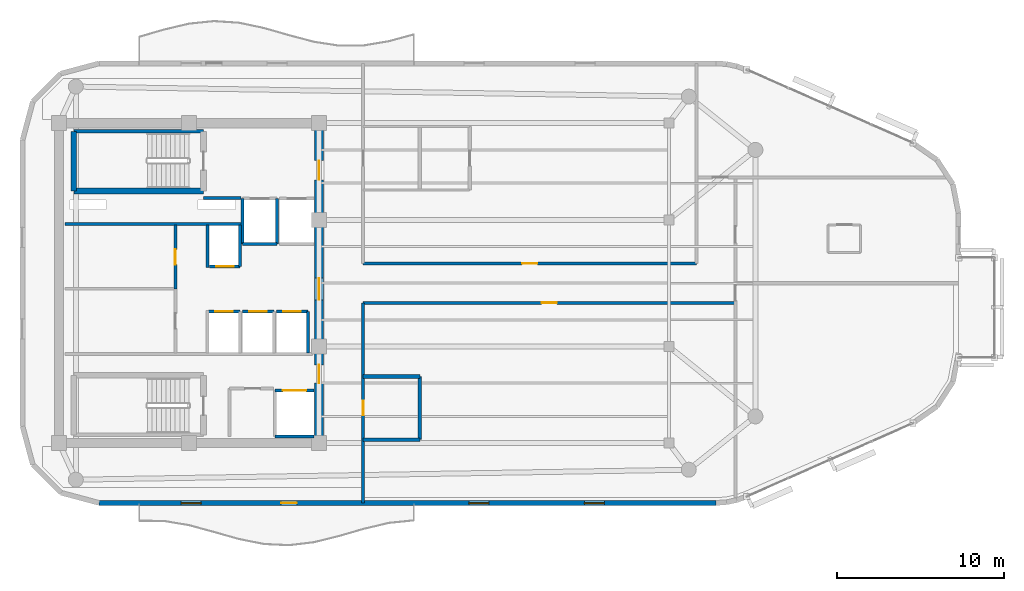
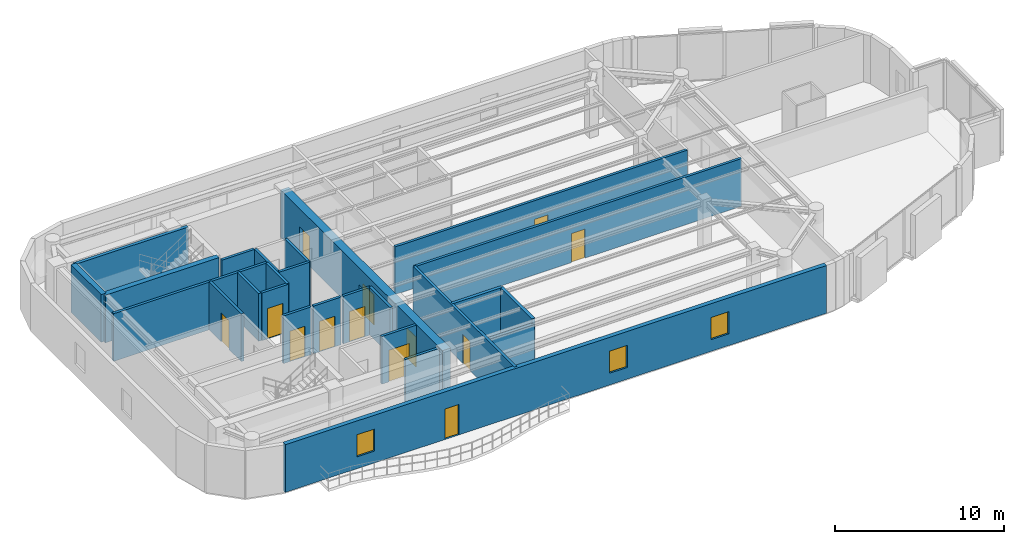
# One storey, part 9 of 13: 26 walls, 13 doors, 3 windows, 16 openings.
"""IFC4 building model written with IfcOpenShell, lengths in metres."""

from ifc_helpers import new_model, si_unit, direction, frame, frame_2d, origin, place, context, subcontext, project, spatial, rectangle, extrude, material, layer, layer_set, type_object, element, fill, save


model = new_model("IFC4")

# Units and contexts
model_context = context("Model", 3, precision=1e-05, world=origin(), true_north=direction((0.0, 1.0)))
body_context = subcontext(model_context, "Body", "Model", "MODEL_VIEW")
ifc_project = project(units=[si_unit("LENGTHUNIT", "METRE"), si_unit("AREAUNIT", "SQUARE_METRE"), si_unit("VOLUMEUNIT", "CUBIC_METRE"), si_unit("PLANEANGLEUNIT", "RADIAN"), si_unit("MASSUNIT", "GRAM", prefix="KILO")], contexts=[model_context])

# Site, building, storey
site_placement = place(None, origin())
site = spatial("IfcSite", under=ifc_project, at=site_placement, CompositionType="ELEMENT")
building_placement = place(site_placement, origin())
building = spatial("IfcBuilding", under=site, at=building_placement, Name="An Khanh Terracotta Commons", CompositionType="ELEMENT")
storey_placement = place(building_placement, frame((0.0, 0.0, 288.0)))
storey = spatial("IfcBuildingStorey", under=building, at=storey_placement, Name="L75", CompositionType="ELEMENT", Elevation=288.0)

# Wall, openings, doors
ifc_material_1 = material(Name="Concrete C50/60", Category="concrete")
ifc_layer_1 = layer(ifc_material_1, 0.550048828125, Name="Concrete C50/60")
ifc_layer_set_1 = layer_set([ifc_layer_1], Name="Concrete C50/60")
wall_type_1 = type_object("IfcWallType", Name="WALL-CORE-550", PredefinedType="SHEAR", material=ifc_layer_set_1)
wall_1_placement = place(storey_placement, frame((37.199951171875, 14.39990234375, 0.0), z_axis=(0.0, 0.0, 1.0), x_axis=(0.0, 1.0, 0.0)))
wall_1 = element("IfcWall", 1, at=wall_1_placement, inside=storey, type_object=wall_type_1, Name="L75 Core Wall CWALL-L75-E", PredefinedType="SHEAR", context=body_context, shape_type="SweptSolid", body=[
    extrude(rectangle(XDim=19.2001953125, YDim=0.550048828125, at=frame_2d((9.60009765625, 0.0))), origin(), (0.0, 0.0, 1.0), 3.449951171875),
])
opening_1_placement = place(wall_1_placement, frame((15.800048828125, 0.0, 0.0)))
opening_1 = element("IfcOpeningElement", 2, at=opening_1_placement, cuts=wall_1, Name="Opening D-FFL", PredefinedType="OPENING", context=body_context, shape_type="SweptSolid", body=[
    extrude(rectangle(XDim=1.14990234375, YDim=2.14990234375, at=frame_2d((0.574951171875, 1.074951171875))), frame((0.0, 0.284912109375, 0.0), z_axis=(0.0, -1.0, 0.0), x_axis=(1.0, 0.0, 0.0)), (0.0, 0.0, 1.0), 0.570068359375),
])
opening_2_placement = place(wall_1_placement, frame((3.60009765625, 0.0, 0.0)))
opening_2 = element("IfcOpeningElement", 3, at=opening_2_placement, cuts=wall_1, Name="Opening D-ST", PredefinedType="OPENING", context=body_context, shape_type="SweptSolid", body=[
    extrude(rectangle(XDim=1.10009765625, YDim=2.14990234375, at=frame_2d((0.550048828125, 1.074951171875))), frame((0.0, 0.284912109375, 0.0), z_axis=(0.0, -1.0, 0.0), x_axis=(1.0, 0.0, 0.0)), (0.0, 0.0, 1.0), 0.570068359375),
])
opening_3_placement = place(wall_1_placement, frame((8.60009765625, 0.0, 0.0)))
opening_3 = element("IfcOpeningElement", 4, at=opening_3_placement, cuts=wall_1, Name="Opening D-COR", PredefinedType="OPENING", context=body_context, shape_type="SweptSolid", body=[
    extrude(rectangle(XDim=1.300048828125, YDim=2.199951171875, at=frame_2d((0.64990234375, 1.10009765625))), frame((0.0, 0.284912109375, 0.0), z_axis=(0.0, -1.0, 0.0), x_axis=(1.0, 0.0, 0.0)), (0.0, 0.0, 1.0), 0.570068359375),
])
ifc_material_2 = material(Name="Fire-Rated Glazed Steel Double Door", Category="steel")
door_type_1 = type_object("IfcDoorType", Name="DOOR-CORR-1300", OperationType="NOTDEFINED", PredefinedType="DOOR", material=ifc_material_2)
door_1_placement = place(opening_3_placement, origin())
door_1 = element("IfcDoor", 5, at=door_1_placement, inside=storey, type_object=door_type_1, Name="L75 Passenger Lift Lobby Double Door", OperationType="DOUBLE_DOOR_SINGLE_SWING", OverallHeight=2.199951171875, OverallWidth=1.300048828125, PredefinedType="DOOR", context=body_context, shape_type="SweptSolid", body=[
    extrude(rectangle(XDim=1.300048828125, YDim=2.199951171875, at=frame_2d((0.64990234375, 1.10009765625))), frame((0.0, 0.02490234375, 0.0), z_axis=(0.0, -1.0, 0.0), x_axis=(1.0, 0.0, 0.0)), (0.0, 0.0, 1.0), 0.050048828125),
])
fill(opening_3, door_1)
ifc_material_3 = material(Name="Fire-Rated Steel Leaf and Vision Panel", Category="steel")
door_type_2 = type_object("IfcDoorType", Name="DOOR-FFL-1150", OperationType="NOTDEFINED", PredefinedType="DOOR", material=ifc_material_3)
door_2_placement = place(opening_1_placement, origin())
door_2 = element("IfcDoor", 6, at=door_2_placement, inside=storey, type_object=door_type_2, Name="L75 Firefighting Lift Lobby Fire Door", OperationType="SINGLE_SWING_RIGHT", OverallHeight=2.14990234375, OverallWidth=1.14990234375, PredefinedType="DOOR", context=body_context, shape_type="SweptSolid", body=[
    extrude(rectangle(XDim=1.14990234375, YDim=2.14990234375, at=frame_2d((0.574951171875, 1.074951171875))), frame((0.0, 0.02490234375, 0.0), z_axis=(0.0, -1.0, 0.0), x_axis=(1.0, 0.0, 0.0)), (0.0, 0.0, 1.0), 0.050048828125),
])
fill(opening_1, door_2)
ifc_material_4 = material(Name="Fire-Rated Steel Leaf and Frame", Category="steel")
door_type_3 = type_object("IfcDoorType", Name="DOOR-STAIR-1100", OperationType="NOTDEFINED", PredefinedType="DOOR", material=ifc_material_4)
door_3_placement = place(opening_2_placement, origin())
door_3 = element("IfcDoor", 7, at=door_3_placement, inside=storey, type_object=door_type_3, Name="L75 South Stair Lobby Fire Door", OperationType="SINGLE_SWING_LEFT", OverallHeight=2.14990234375, OverallWidth=1.10009765625, PredefinedType="DOOR", context=body_context, shape_type="SweptSolid", body=[
    extrude(rectangle(XDim=1.10009765625, YDim=2.14990234375, at=frame_2d((0.550048828125, 1.074951171875))), frame((0.0, 0.02490234375, 0.0), z_axis=(0.0, -1.0, 0.0), x_axis=(1.0, 0.0, 0.0)), (0.0, 0.0, 1.0), 0.050048828125),
])
fill(opening_2, door_3)

# Walls
ifc_material_5 = material(Name="Fire-Rated Gypsum Board on Steel Stud", Category="steel")
ifc_layer_2 = layer(ifc_material_5, 0.179931640625, Name="Fire-Rated Gypsum Board on Steel Stud")
ifc_layer_set_2 = layer_set([ifc_layer_2], Name="Fire-Rated Gypsum Board on Steel Stud")
wall_type_2 = type_object("IfcWallType", Name="WALL-CORR-180", PredefinedType="PARTITIONING", material=ifc_layer_set_2)
wall_2_placement = place(storey_placement, frame((30.27001953125, 29.1201171875, 0.0), z_axis=(0.0, 0.0, 1.0), x_axis=(1.0, 0.0, 0.0)))
element("IfcWall", 8, at=wall_2_placement, inside=storey, type_object=wall_type_2, Name="L75 Core Wall FFLW-L75-S", PredefinedType="PARTITIONING", context=body_context, shape_type="SweptSolid", body=[
    extrude(rectangle(XDim=2.239990234375, YDim=0.179931640625, at=frame_2d((1.1201171875, 0.0))), origin(), (0.0, 0.0, 1.0), 3.449951171875),
])
wall_3_placement = place(storey_placement, frame((21.949951171875, 27.5400390625, 0.0), z_axis=(0.0, 0.0, 1.0), x_axis=(1.0, 0.0, 0.0)))
element("IfcWall", 9, at=wall_3_placement, inside=storey, type_object=wall_type_2, Name="L75 Core Wall RSRW-L75-S", PredefinedType="PARTITIONING", context=body_context, shape_type="SweptSolid", body=[
    extrude(rectangle(XDim=10.56005859375, YDim=0.179931640625, at=frame_2d((5.280029296875, 0.0))), origin(), (0.0, 0.0, 1.0), 3.449951171875),
])
wall_4_placement = place(storey_placement, frame((34.679931640625, 26.35009765625, 0.0), z_axis=(0.0, 0.0, 1.0), x_axis=(-1.0, 0.0, 0.0)))
element("IfcWall", 10, at=wall_4_placement, inside=storey, type_object=wall_type_2, Name="L75 Core Wall LSH-L75-FFL-01-S", PredefinedType="PARTITIONING", context=body_context, shape_type="SweptSolid", body=[
    extrude(rectangle(XDim=2.079833984375, YDim=0.179931640625, at=frame_2d((1.0400390625, 0.0))), origin(), (0.0, 0.0, 1.0), 3.449951171875),
])
for number, where, z_axis, x_axis, name in (
    (11, (34.679931640625, 26.35009765625, 0.0), (0.0, 0.0, 1.0), (0.0, 1.0, 0.0), "L75 Core Wall LSH-L75-FFL-01-E"),
    (12, (32.60009765625, 29.080078125, 0.0), (0.0, 0.0, 1.0), (0.0, -1.0, 0.0), "L75 Core Wall LSH-L75-FFL-01-W"),
):
    element("IfcWall", number, at=place(storey_placement, frame(where, z_axis=z_axis, x_axis=x_axis)), inside=storey, type_object=wall_type_2, Name=name, PredefinedType="PARTITIONING", context=body_context, shape_type="SweptSolid", body=[
        extrude(rectangle(XDim=2.72998046875, YDim=0.179931640625, at=frame_2d((1.364990234375, 0.0))), origin(), (0.0, 0.0, 1.0), 3.449951171875),
    ])

# Wall, opening, door
wall_5_placement = place(storey_placement, frame((34.550048828125, 17.550048828125, 0.0), z_axis=(0.0, 0.0, 1.0), x_axis=(1.0, 0.0, 0.0)))
wall_5 = element("IfcWall", 13, at=wall_5_placement, inside=storey, type_object=wall_type_2, Name="L75 Core Wall LSH-L75-SVL-01-N", PredefinedType="PARTITIONING", context=body_context, shape_type="SweptSolid", body=[
    extrude(rectangle(XDim=2.349853515625, YDim=0.179931640625, at=frame_2d((1.1748046875, 0.0))), origin(), (0.0, 0.0, 1.0), 3.449951171875),
])
opening_4_placement = place(wall_5_placement, frame((0.47509765625, 0.0, 0.0)))
opening_4 = element("IfcOpeningElement", 14, at=opening_4_placement, cuts=wall_5, Name="Opening LD-SVL-01-L75", PredefinedType="OPENING", context=body_context, shape_type="SweptSolid", body=[
    extrude(rectangle(XDim=1.39990234375, YDim=2.300048828125, at=frame_2d((0.699951171875, 1.14990234375))), frame((0.0, 0.099853515625, 0.0), z_axis=(0.0, -1.0, 0.0), x_axis=(1.0, 0.0, 0.0)), (0.0, 0.0, 1.0), 0.199951171875),
])
ifc_material_6 = material(Name="Heavy-Duty Stainless Steel Goods Landing Door", Category="steel")
door_type_4 = type_object("IfcDoorType", Name="DOOR-LD-SVL-1400", OperationType="NOTDEFINED", PredefinedType="DOOR", material=ifc_material_6)
door_4_placement = place(opening_4_placement, origin())
door_4 = element("IfcDoor", 15, at=door_4_placement, inside=storey, type_object=door_type_4, Name="L75 Lift SVL-01 Sliding Landing Door", OperationType="DOUBLE_DOOR_SLIDING", OverallHeight=2.300048828125, OverallWidth=1.39990234375, PredefinedType="DOOR", context=body_context, shape_type="SweptSolid", body=[
    extrude(rectangle(XDim=1.39990234375, YDim=2.300048828125, at=frame_2d((0.699951171875, 1.14990234375))), frame((0.0, 0.02490234375, 0.0), z_axis=(0.0, -1.0, 0.0), x_axis=(1.0, 0.0, 0.0)), (0.0, 0.0, 1.0), 0.050048828125),
])
fill(opening_4, door_4)

# Wall
wall_6_placement = place(storey_placement, frame((36.89990234375, 14.800048828125, 0.0), z_axis=(0.0, 0.0, 1.0), x_axis=(-1.0, 0.0, 0.0)))
element("IfcWall", 16, at=wall_6_placement, inside=storey, type_object=wall_type_2, Name="L75 Core Wall LSH-L75-SVL-01-S", PredefinedType="PARTITIONING", context=body_context, shape_type="SweptSolid", body=[
    extrude(rectangle(XDim=2.349853515625, YDim=0.179931640625, at=frame_2d((1.1748046875, 0.0))), origin(), (0.0, 0.0, 1.0), 3.449951171875),
])

# Wall, opening, door
wall_7_placement = place(storey_placement, frame((32.4599609375, 25.0, 0.0), z_axis=(0.0, 0.0, 1.0), x_axis=(-1.0, 0.0, 0.0)))
wall_7 = element("IfcWall", 17, at=wall_7_placement, inside=storey, type_object=wall_type_2, Name="L75 Core Wall LSH-L75-PL-H1-S", PredefinedType="PARTITIONING", context=body_context, shape_type="SweptSolid", body=[
    extrude(rectangle(XDim=1.820068359375, YDim=0.179931640625, at=frame_2d((0.91015625, 0.0))), origin(), (0.0, 0.0, 1.0), 3.449951171875),
])
opening_5_placement = place(wall_7_placement, frame((0.385009765625, 0.0, 0.0)))
opening_5 = element("IfcOpeningElement", 18, at=opening_5_placement, cuts=wall_7, Name="Opening LD-PL-H1-L75", PredefinedType="OPENING", context=body_context, shape_type="SweptSolid", body=[
    extrude(rectangle(XDim=1.050048828125, YDim=2.199951171875, at=frame_2d((0.52490234375, 1.10009765625))), frame((0.0, 0.099853515625, 0.0), z_axis=(0.0, -1.0, 0.0), x_axis=(1.0, 0.0, 0.0)), (0.0, 0.0, 1.0), 0.199951171875),
])
ifc_material_7 = material(Name="Brushed Stainless Steel High-Rise Landing Door", Category="steel")
door_type_5 = type_object("IfcDoorType", Name="DOOR-LD-PAXH-1050", OperationType="NOTDEFINED", PredefinedType="DOOR", material=ifc_material_7)
door_5_placement = place(opening_5_placement, origin())
door_5 = element("IfcDoor", 19, at=door_5_placement, inside=storey, type_object=door_type_5, Name="L75 Lift PL-H1 Sliding Landing Door", OperationType="DOUBLE_DOOR_SLIDING", OverallHeight=2.199951171875, OverallWidth=1.050048828125, PredefinedType="DOOR", context=body_context, shape_type="SweptSolid", body=[
    extrude(rectangle(XDim=1.050048828125, YDim=2.199951171875, at=frame_2d((0.52490234375, 1.10009765625))), frame((0.0, 0.02490234375, 0.0), z_axis=(0.0, -1.0, 0.0), x_axis=(1.0, 0.0, 0.0)), (0.0, 0.0, 1.0), 0.050048828125),
])
fill(opening_5, door_5)

# Wall
wall_8_placement = place(storey_placement, frame((32.4599609375, 25.0, 0.0), z_axis=(0.0, 0.0, 1.0), x_axis=(0.0, 1.0, 0.0)))
element("IfcWall", 20, at=wall_8_placement, inside=storey, type_object=wall_type_2, Name="L75 Core Wall LSH-L75-PL-H1-E", PredefinedType="PARTITIONING", context=body_context, shape_type="SweptSolid", body=[
    extrude(rectangle(XDim=2.5, YDim=0.179931640625, at=frame_2d((1.25, 0.0))), origin(), (0.0, 0.0, 1.0), 3.449951171875),
])

# Wall, opening, door
wall_9_placement = place(storey_placement, frame((30.56005859375, 22.300048828125, 0.0), z_axis=(0.0, 0.0, 1.0), x_axis=(1.0, 0.0, 0.0)))
wall_9 = element("IfcWall", 21, at=wall_9_placement, inside=storey, type_object=wall_type_2, Name="L75 Core Wall LSH-L75-PL-H2-N", PredefinedType="PARTITIONING", context=body_context, shape_type="SweptSolid", body=[
    extrude(rectangle(XDim=1.89990234375, YDim=0.179931640625, at=frame_2d((0.949951171875, 0.0))), origin(), (0.0, 0.0, 1.0), 3.449951171875),
])
opening_6_placement = place(wall_9_placement, frame((0.425048828125, 0.0, 0.0)))
opening_6 = element("IfcOpeningElement", 22, at=opening_6_placement, cuts=wall_9, Name="Opening LD-PL-H2-L75", PredefinedType="OPENING", context=body_context, shape_type="SweptSolid", body=[
    extrude(rectangle(XDim=1.050048828125, YDim=2.199951171875, at=frame_2d((0.52490234375, 1.10009765625))), frame((0.0, 0.099853515625, 0.0), z_axis=(0.0, -1.0, 0.0), x_axis=(1.0, 0.0, 0.0)), (0.0, 0.0, 1.0), 0.199951171875),
])
door_6_placement = place(opening_6_placement, origin())
door_6 = element("IfcDoor", 23, at=door_6_placement, inside=storey, type_object=door_type_5, Name="L75 Lift PL-H2 Sliding Landing Door", OperationType="DOUBLE_DOOR_SLIDING", OverallHeight=2.199951171875, OverallWidth=1.050048828125, PredefinedType="DOOR", context=body_context, shape_type="SweptSolid", body=[
    extrude(rectangle(XDim=1.050048828125, YDim=2.199951171875, at=frame_2d((0.52490234375, 1.10009765625))), frame((0.0, 0.02490234375, 0.0), z_axis=(0.0, -1.0, 0.0), x_axis=(1.0, 0.0, 0.0)), (0.0, 0.0, 1.0), 0.050048828125),
])
fill(opening_6, door_6)

wall_10_placement = place(storey_placement, frame((32.60009765625, 22.300048828125, 0.0), z_axis=(0.0, 0.0, 1.0), x_axis=(1.0, 0.0, 0.0)))
wall_10 = element("IfcWall", 24, at=wall_10_placement, inside=storey, type_object=wall_type_2, Name="L75 Core Wall LSH-L75-PL-H3-N", PredefinedType="PARTITIONING", context=body_context, shape_type="SweptSolid", body=[
    extrude(rectangle(XDim=1.89990234375, YDim=0.179931640625, at=frame_2d((0.949951171875, 0.0))), origin(), (0.0, 0.0, 1.0), 3.449951171875),
])
opening_7_placement = place(wall_10_placement, frame((0.425048828125, 0.0, 0.0)))
opening_7 = element("IfcOpeningElement", 25, at=opening_7_placement, cuts=wall_10, Name="Opening LD-PL-H3-L75", PredefinedType="OPENING", context=body_context, shape_type="SweptSolid", body=[
    extrude(rectangle(XDim=1.050048828125, YDim=2.199951171875, at=frame_2d((0.52490234375, 1.10009765625))), frame((0.0, 0.099853515625, 0.0), z_axis=(0.0, -1.0, 0.0), x_axis=(1.0, 0.0, 0.0)), (0.0, 0.0, 1.0), 0.199951171875),
])
door_7_placement = place(opening_7_placement, origin())
door_7 = element("IfcDoor", 26, at=door_7_placement, inside=storey, type_object=door_type_5, Name="L75 Lift PL-H3 Sliding Landing Door", OperationType="DOUBLE_DOOR_SLIDING", OverallHeight=2.199951171875, OverallWidth=1.050048828125, PredefinedType="DOOR", context=body_context, shape_type="SweptSolid", body=[
    extrude(rectangle(XDim=1.050048828125, YDim=2.199951171875, at=frame_2d((0.52490234375, 1.10009765625))), frame((0.0, 0.02490234375, 0.0), z_axis=(0.0, -1.0, 0.0), x_axis=(1.0, 0.0, 0.0)), (0.0, 0.0, 1.0), 0.050048828125),
])
fill(opening_7, door_7)

wall_11_placement = place(storey_placement, frame((34.639892578125, 22.300048828125, 0.0), z_axis=(0.0, 0.0, 1.0), x_axis=(1.0, 0.0, 0.0)))
wall_11 = element("IfcWall", 27, at=wall_11_placement, inside=storey, type_object=wall_type_2, Name="L75 Core Wall LSH-L75-PL-H4-N", PredefinedType="PARTITIONING", context=body_context, shape_type="SweptSolid", body=[
    extrude(rectangle(XDim=1.900146484375, YDim=0.179931640625, at=frame_2d((0.9501953125, 0.0))), origin(), (0.0, 0.0, 1.0), 3.449951171875),
])
opening_8_placement = place(wall_11_placement, frame((0.425048828125, 0.0, 0.0)))
opening_8 = element("IfcOpeningElement", 28, at=opening_8_placement, cuts=wall_11, Name="Opening LD-PL-H4-L75", PredefinedType="OPENING", context=body_context, shape_type="SweptSolid", body=[
    extrude(rectangle(XDim=1.050048828125, YDim=2.199951171875, at=frame_2d((0.52490234375, 1.10009765625))), frame((0.0, 0.099853515625, 0.0), z_axis=(0.0, -1.0, 0.0), x_axis=(1.0, 0.0, 0.0)), (0.0, 0.0, 1.0), 0.199951171875),
])
door_8_placement = place(opening_8_placement, origin())
door_8 = element("IfcDoor", 29, at=door_8_placement, inside=storey, type_object=door_type_5, Name="L75 Lift PL-H4 Sliding Landing Door", OperationType="DOUBLE_DOOR_SLIDING", OverallHeight=2.199951171875, OverallWidth=1.050048828125, PredefinedType="DOOR", context=body_context, shape_type="SweptSolid", body=[
    extrude(rectangle(XDim=1.050048828125, YDim=2.199951171875, at=frame_2d((0.52490234375, 1.10009765625))), frame((0.0, 0.02490234375, 0.0), z_axis=(0.0, -1.0, 0.0), x_axis=(1.0, 0.0, 0.0)), (0.0, 0.0, 1.0), 0.050048828125),
])
fill(opening_8, door_8)

# Walls
wall_12_placement = place(storey_placement, frame((36.5400390625, 19.800048828125, 0.0), z_axis=(0.0, 0.0, 1.0), x_axis=(0.0, 1.0, 0.0)))
element("IfcWall", 30, at=wall_12_placement, inside=storey, type_object=wall_type_2, Name="L75 Core Wall LSH-L75-PL-H4-E", PredefinedType="PARTITIONING", context=body_context, shape_type="SweptSolid", body=[
    extrude(rectangle(XDim=2.5, YDim=0.179931640625, at=frame_2d((1.25, 0.0))), origin(), (0.0, 0.0, 1.0), 3.449951171875),
])
wall_13_placement = place(storey_placement, frame((30.52001953125, 24.949951171875, 0.0), z_axis=(0.0, 0.0, 1.0), x_axis=(0.0, 1.0, 0.0)))
element("IfcWall", 31, at=wall_13_placement, inside=storey, type_object=wall_type_2, Name="L75 Core Wall RECW-L75-BE1", PredefinedType="PARTITIONING", context=body_context, shape_type="SweptSolid", body=[
    extrude(rectangle(XDim=2.550048828125, YDim=0.179931640625, at=frame_2d((1.27490234375, 0.0))), origin(), (0.0, 0.0, 1.0), 3.449951171875),
])

# Wall, opening, door
wall_14_placement = place(storey_placement, frame((28.580078125, 23.64990234375, 0.0), z_axis=(0.0, 0.0, 1.0), x_axis=(0.0, 1.0, 0.0)))
wall_14 = element("IfcWall", 32, at=wall_14_placement, inside=storey, type_object=wall_type_2, Name="L75 Core Wall RECW-L75-E1", PredefinedType="PARTITIONING", context=body_context, shape_type="SweptSolid", body=[
    extrude(rectangle(XDim=3.85009765625, YDim=0.179931640625, at=frame_2d((1.925048828125, 0.0))), origin(), (0.0, 0.0, 1.0), 3.449951171875),
])
opening_9_placement = place(wall_14_placement, frame((1.465087890625, 0.0, 0.0)))
opening_9 = element("IfcOpeningElement", 33, at=opening_9_placement, cuts=wall_14, Name="Opening D-RM", PredefinedType="OPENING", context=body_context, shape_type="SweptSolid", body=[
    extrude(rectangle(XDim=0.919921875, YDim=2.10009765625, at=frame_2d((0.4599609375, 1.050048828125))), frame((0.0, 0.099853515625, 0.0), z_axis=(0.0, -1.0, 0.0), x_axis=(1.0, 0.0, 0.0)), (0.0, 0.0, 1.0), 0.199951171875),
])
ifc_material_8 = material(Name="Engineered Hardwood Timber Leaf", Category="wood")
door_type_6 = type_object("IfcDoorType", Name="DOOR-INT-920", OperationType="NOTDEFINED", PredefinedType="DOOR", material=ifc_material_8)
door_9_placement = place(opening_9_placement, origin())
door_9 = element("IfcDoor", 34, at=door_9_placement, inside=storey, type_object=door_type_6, Name="L75 Communal Laundry Room Door", OperationType="SINGLE_SWING_LEFT", OverallHeight=2.10009765625, OverallWidth=0.919921875, PredefinedType="DOOR", context=body_context, shape_type="SweptSolid", body=[
    extrude(rectangle(XDim=0.919921875, YDim=2.10009765625, at=frame_2d((0.4599609375, 1.050048828125))), frame((0.0, 0.02490234375, 0.0), z_axis=(0.0, -1.0, 0.0), x_axis=(1.0, 0.0, 0.0)), (0.0, 0.0, 1.0), 0.050048828125),
])
fill(opening_9, door_9)

wall_15_placement = place(storey_placement, frame((39.85009765625, 22.820068359375, 0.0), z_axis=(0.0, 0.0, 1.0), x_axis=(1.0, 0.0, 0.0)))
wall_15 = element("IfcWall", 35, at=wall_15_placement, inside=storey, type_object=wall_type_2, Name="L75 Interior Partition IW-L75-E003", PredefinedType="PARTITIONING", context=body_context, shape_type="SweptSolid", body=[
    extrude(rectangle(XDim=22.349853515625, YDim=0.179931640625, at=frame_2d((11.1748046875, 0.0))), origin(), (0.0, 0.0, 1.0), 3.449951171875),
])
opening_10_placement = place(wall_15_placement, frame((10.715087890625, 0.0, 0.0)))
opening_10 = element("IfcOpeningElement", 36, at=opening_10_placement, cuts=wall_15, Name="Opening D-RM", PredefinedType="OPENING", context=body_context, shape_type="SweptSolid", body=[
    extrude(rectangle(XDim=0.919921875, YDim=2.10009765625, at=frame_2d((0.4599609375, 1.050048828125))), frame((0.0, 0.099853515625, 0.0), z_axis=(0.0, -1.0, 0.0), x_axis=(1.0, 0.0, 0.0)), (0.0, 0.0, 1.0), 0.199951171875),
])
door_10_placement = place(opening_10_placement, origin())
door_10 = element("IfcDoor", 37, at=door_10_placement, inside=storey, type_object=door_type_6, Name="L75 ZW2 Academic Seminar Room Door", OperationType="SINGLE_SWING_LEFT", OverallHeight=2.10009765625, OverallWidth=0.919921875, PredefinedType="DOOR", context=body_context, shape_type="SweptSolid", body=[
    extrude(rectangle(XDim=0.919921875, YDim=2.10009765625, at=frame_2d((0.4599609375, 1.050048828125))), frame((0.0, 0.02490234375, 0.0), z_axis=(0.0, -1.0, 0.0), x_axis=(1.0, 0.0, 0.0)), (0.0, 0.0, 1.0), 0.050048828125),
])
fill(opening_10, door_10)

wall_16_placement = place(storey_placement, frame((39.85009765625, 25.179931640625, 0.0), z_axis=(0.0, 0.0, 1.0), x_axis=(1.0, 0.0, 0.0)))
wall_16 = element("IfcWall", 38, at=wall_16_placement, inside=storey, type_object=wall_type_2, Name="L75 Interior Partition IW-L75-E005", PredefinedType="PARTITIONING", context=body_context, shape_type="SweptSolid", body=[
    extrude(rectangle(XDim=20.0, YDim=0.179931640625, at=frame_2d((10.0, 0.0))), origin(), (0.0, 0.0, 1.0), 3.449951171875),
])
opening_11_placement = place(wall_16_placement, frame((9.5400390625, 0.0, 0.0)))
opening_11 = element("IfcOpeningElement", 39, at=opening_11_placement, cuts=wall_16, Name="Opening D-RM", PredefinedType="OPENING", context=body_context, shape_type="SweptSolid", body=[
    extrude(rectangle(XDim=0.919921875, YDim=2.10009765625, at=frame_2d((0.4599609375, 1.050048828125))), frame((0.0, 0.099853515625, 0.0), z_axis=(0.0, -1.0, 0.0), x_axis=(1.0, 0.0, 0.0)), (0.0, 0.0, 1.0), 0.199951171875),
])
door_11_placement = place(opening_11_placement, origin())
door_11 = element("IfcDoor", 40, at=door_11_placement, inside=storey, type_object=door_type_6, Name="L75 ZW1 Collaborative Co-Working Office Door", OperationType="SINGLE_SWING_RIGHT", OverallHeight=2.10009765625, OverallWidth=0.919921875, PredefinedType="DOOR", context=body_context, shape_type="SweptSolid", body=[
    extrude(rectangle(XDim=0.919921875, YDim=2.10009765625, at=frame_2d((0.4599609375, 1.050048828125))), frame((0.0, 0.02490234375, 0.0), z_axis=(0.0, -1.0, 0.0), x_axis=(1.0, 0.0, 0.0)), (0.0, 0.0, 1.0), 0.050048828125),
])
fill(opening_11, door_11)

wall_17_placement = place(storey_placement, frame((39.85009765625, 10.800048828125, 0.0), z_axis=(0.0, 0.0, 1.0), x_axis=(0.0, 1.0, 0.0)))
wall_17 = element("IfcWall", 41, at=wall_17_placement, inside=storey, type_object=wall_type_2, Name="L75 Interior Partition IW-L75-E009", PredefinedType="PARTITIONING", context=body_context, shape_type="SweptSolid", body=[
    extrude(rectangle(XDim=12.02001953125, YDim=0.179931640625, at=frame_2d((6.010009765625, 0.0))), origin(), (0.0, 0.0, 1.0), 3.449951171875),
])
opening_12_placement = place(wall_17_placement, frame((5.27001953125, 0.0, 0.0)))
opening_12 = element("IfcOpeningElement", 42, at=opening_12_placement, cuts=wall_17, Name="Opening D-ENS", PredefinedType="OPENING", context=body_context, shape_type="SweptSolid", body=[
    extrude(rectangle(XDim=0.860107421875, YDim=2.10009765625, at=frame_2d((0.43017578125, 1.050048828125))), frame((0.0, 0.099853515625, 0.0), z_axis=(0.0, -1.0, 0.0), x_axis=(1.0, 0.0, 0.0)), (0.0, 0.0, 1.0), 0.199951171875),
])
ifc_material_9 = material(Name="Moisture-Resistant Hardwood Timber Leaf", Category="wood")
door_type_7 = type_object("IfcDoorType", Name="DOOR-BATH-860", OperationType="NOTDEFINED", PredefinedType="DOOR", material=ifc_material_9)
door_12_placement = place(opening_12_placement, origin())
door_12 = element("IfcDoor", 43, at=door_12_placement, inside=storey, type_object=door_type_7, Name="L75 SHW Resident Shared Shower and Washroom Door", OperationType="SINGLE_SWING_LEFT", OverallHeight=2.10009765625, OverallWidth=0.860107421875, PredefinedType="DOOR", context=body_context, shape_type="SweptSolid", body=[
    extrude(rectangle(XDim=0.860107421875, YDim=2.10009765625, at=frame_2d((0.43017578125, 1.050048828125))), frame((0.0, 0.02490234375, 0.0), z_axis=(0.0, -1.0, 0.0), x_axis=(1.0, 0.0, 0.0)), (0.0, 0.0, 1.0), 0.050048828125),
])
fill(opening_12, door_12)

# Wall, openings, door, windows
ifc_material_10 = material(Name="Precast concrete C40/50", Category="concrete")
ifc_layer_3 = layer(ifc_material_10, 0.300048828125, Name="Precast concrete C40/50")
ifc_layer_set_3 = layer_set([ifc_layer_3], Name="Precast concrete C40/50")
wall_type_3 = type_object("IfcWallType", Name="WALL-EXT-300", PredefinedType="SOLIDWALL", material=ifc_layer_set_3)
wall_18_placement = place(storey_placement, frame((24.0, 10.800048828125, 0.0), z_axis=(0.0, 0.0, 1.0), x_axis=(1.0, 0.0, 0.0)))
wall_18 = element("IfcWall", 44, at=wall_18_placement, inside=storey, type_object=wall_type_3, Name="L75 Insulated Terracotta Exterior Wall 4", PredefinedType="SOLIDWALL", context=body_context, shape_type="SweptSolid", body=[
    extrude(rectangle(XDim=37.030029296875, YDim=0.300048828125, at=frame_2d((18.51513671875, 0.0))), origin(), (0.0, 0.0, 1.0), 3.449951171875),
])
opening_13_placement = place(wall_18_placement, frame((10.925048828125, 0.0, 0.0)))
opening_13 = element("IfcOpeningElement", 45, at=opening_13_placement, cuts=wall_18, Name="Opening D-BAL", PredefinedType="OPENING", context=body_context, shape_type="SweptSolid", body=[
    extrude(rectangle(XDim=0.949951171875, YDim=2.199951171875, at=frame_2d((0.47509765625, 1.10009765625))), frame((0.0, 0.159912109375, 0.0), z_axis=(0.0, -1.0, 0.0), x_axis=(1.0, 0.0, 0.0)), (0.0, 0.0, 1.0), 0.320068359375),
])
opening_14_placement = place(wall_18_placement, frame((4.9169921875, 0.0, 0.85009765625)))
opening_14 = element("IfcOpeningElement", 46, at=opening_14_placement, cuts=wall_18, Name="Opening W-05", PredefinedType="OPENING", context=body_context, shape_type="SweptSolid", body=[
    extrude(rectangle(XDim=1.199951171875, YDim=1.60009765625, at=frame_2d((0.60009765625, 0.800048828125))), frame((0.0, 0.159912109375, 0.0), z_axis=(0.0, -1.0, 0.0), x_axis=(1.0, 0.0, 0.0)), (0.0, 0.0, 1.0), 0.320068359375),
])
opening_15_placement = place(wall_18_placement, frame((22.193115234375, 0.0, 0.85009765625)))
opening_15 = element("IfcOpeningElement", 47, at=opening_15_placement, cuts=wall_18, Name="Opening W-05", PredefinedType="OPENING", context=body_context, shape_type="SweptSolid", body=[
    extrude(rectangle(XDim=1.199951171875, YDim=1.60009765625, at=frame_2d((0.60009765625, 0.800048828125))), frame((0.0, 0.159912109375, 0.0), z_axis=(0.0, -1.0, 0.0), x_axis=(1.0, 0.0, 0.0)), (0.0, 0.0, 1.0), 0.320068359375),
])
opening_16_placement = place(wall_18_placement, frame((29.136962890625, 0.0, 0.85009765625)))
opening_16 = element("IfcOpeningElement", 48, at=opening_16_placement, cuts=wall_18, Name="Opening W-05", PredefinedType="OPENING", context=body_context, shape_type="SweptSolid", body=[
    extrude(rectangle(XDim=1.199951171875, YDim=1.60009765625, at=frame_2d((0.60009765625, 0.800048828125))), frame((0.0, 0.159912109375, 0.0), z_axis=(0.0, -1.0, 0.0), x_axis=(1.0, 0.0, 0.0)), (0.0, 0.0, 1.0), 0.320068359375),
])
ifc_material_11 = material(Name="Thermally Broken Aluminium and Low-E Glass", Category="aluminium")
door_type_8 = type_object("IfcDoorType", Name="DOOR-BALC-950", OperationType="NOTDEFINED", PredefinedType="DOOR", material=ifc_material_11)
door_13_placement = place(opening_13_placement, origin())
door_13 = element("IfcDoor", 49, at=door_13_placement, inside=storey, type_object=door_type_8, Name="L75 S Wave Balcony Glazed Door", OperationType="SINGLE_SWING_LEFT", OverallHeight=2.199951171875, OverallWidth=0.949951171875, PredefinedType="DOOR", context=body_context, shape_type="SweptSolid", body=[
    extrude(rectangle(XDim=0.949951171875, YDim=2.199951171875, at=frame_2d((0.47509765625, 1.10009765625))), frame((0.0, 0.02490234375, 0.0), z_axis=(0.0, -1.0, 0.0), x_axis=(1.0, 0.0, 0.0)), (0.0, 0.0, 1.0), 0.050048828125),
])
fill(opening_13, door_13)
window_type = type_object("IfcWindowType", Name="WIN-Z5-1200x1600", PartitioningType="SINGLE_PANEL", PredefinedType="WINDOW", material=ifc_material_11)
window_1_placement = place(opening_14_placement, origin())
window_1 = element("IfcWindow", 50, at=window_1_placement, inside=storey, type_object=window_type, Name="L75 Operable Casement Window 4.1", OverallHeight=1.60009765625, OverallWidth=1.199951171875, PartitioningType="SINGLE_PANEL", PredefinedType="WINDOW", context=body_context, shape_type="SweptSolid", body=[
    extrude(rectangle(XDim=1.199951171875, YDim=1.60009765625, at=frame_2d((0.60009765625, 0.800048828125))), frame((0.0, 0.030029296875, 0.0), z_axis=(0.0, -1.0, 0.0), x_axis=(1.0, 0.0, 0.0)), (0.0, 0.0, 1.0), 0.06005859375),
])
fill(opening_14, window_1)
window_2_placement = place(opening_15_placement, origin())
window_2 = element("IfcWindow", 51, at=window_2_placement, inside=storey, type_object=window_type, Name="L75 Operable Casement Window 4.2", OverallHeight=1.60009765625, OverallWidth=1.199951171875, PartitioningType="SINGLE_PANEL", PredefinedType="WINDOW", context=body_context, shape_type="SweptSolid", body=[
    extrude(rectangle(XDim=1.199951171875, YDim=1.60009765625, at=frame_2d((0.60009765625, 0.800048828125))), frame((0.0, 0.030029296875, 0.0), z_axis=(0.0, -1.0, 0.0), x_axis=(1.0, 0.0, 0.0)), (0.0, 0.0, 1.0), 0.06005859375),
])
fill(opening_15, window_2)
window_3_placement = place(opening_16_placement, origin())
window_3 = element("IfcWindow", 52, at=window_3_placement, inside=storey, type_object=window_type, Name="L75 Operable Casement Window 4.3", OverallHeight=1.60009765625, OverallWidth=1.199951171875, PartitioningType="SINGLE_PANEL", PredefinedType="WINDOW", context=body_context, shape_type="SweptSolid", body=[
    extrude(rectangle(XDim=1.199951171875, YDim=1.60009765625, at=frame_2d((0.60009765625, 0.800048828125))), frame((0.0, 0.030029296875, 0.0), z_axis=(0.0, -1.0, 0.0), x_axis=(1.0, 0.0, 0.0)), (0.0, 0.0, 1.0), 0.06005859375),
])
fill(opening_16, window_3)

# Walls
ifc_material_12 = material(Name="Acoustic Double-Stud Gypsum and Mineral Wool")
ifc_layer_4 = layer(ifc_material_12, 0.219970703125, Name="Acoustic Double-Stud Gypsum and Mineral Wool")
ifc_layer_set_4 = layer_set([ifc_layer_4], Name="Acoustic Double-Stud Gypsum and Mineral Wool")
wall_type_4 = type_object("IfcWallType", Name="WALL-PARTY-220", PredefinedType="PARTITIONING", material=ifc_layer_set_4)
wall_19_placement = place(storey_placement, frame((22.47998046875, 33.110107421875, 0.0), z_axis=(0.0, 0.0, 1.0), x_axis=(1.0, 0.0, 0.0)))
element("IfcWall", 53, at=wall_19_placement, inside=storey, type_object=wall_type_4, Name="L75 Core Wall STW-L75-N-N", PredefinedType="PARTITIONING", context=body_context, shape_type="SweptSolid", body=[
    extrude(rectangle(XDim=7.7900390625, YDim=0.219970703125, at=frame_2d((3.89501953125, 0.0))), origin(), (0.0, 0.0, 1.0), 3.449951171875),
])
wall_20_placement = place(storey_placement, frame((39.85009765625, 14.60009765625, 0.0), z_axis=(0.0, 0.0, 1.0), x_axis=(1.0, 0.0, 0.0)))
element("IfcWall", 54, at=wall_20_placement, inside=storey, type_object=wall_type_4, Name="L75 Interior Partition IW-L75-E001", PredefinedType="PARTITIONING", context=body_context, shape_type="SweptSolid", body=[
    extrude(rectangle(XDim=3.39990234375, YDim=0.219970703125, at=frame_2d((1.699951171875, 0.0))), origin(), (0.0, 0.0, 1.0), 3.092041015625),
])
wall_21_placement = place(storey_placement, frame((39.85009765625, 18.39990234375, 0.0), z_axis=(0.0, 0.0, 1.0), x_axis=(1.0, 0.0, 0.0)))
element("IfcWall", 55, at=wall_21_placement, inside=storey, type_object=wall_type_4, Name="L75 Interior Partition IW-L75-E002", PredefinedType="PARTITIONING", context=body_context, shape_type="SweptSolid", body=[
    extrude(rectangle(XDim=3.39990234375, YDim=0.219970703125, at=frame_2d((1.699951171875, 0.0))), origin(), (0.0, 0.0, 1.0), 3.449951171875),
])
wall_22_placement = place(storey_placement, frame((43.25, 14.60009765625, 0.0), z_axis=(0.0, 0.0, 1.0), x_axis=(0.0, 1.0, 0.0)))
element("IfcWall", 56, at=wall_22_placement, inside=storey, type_object=wall_type_4, Name="L75 Interior Partition IW-L75-E011", PredefinedType="PARTITIONING", context=body_context, shape_type="SweptSolid", body=[
    extrude(rectangle(XDim=3.7998046875, YDim=0.219970703125, at=frame_2d((1.89990234375, 0.0))), origin(), (0.0, 0.0, 1.0), 3.449951171875),
])
ifc_layer_5 = layer(ifc_material_1, 0.35009765625, Name="Concrete C50/60")
ifc_layer_set_5 = layer_set([ifc_layer_5], Name="Concrete C50/60")
wall_type_5 = type_object("IfcWallType", Name="WALL-SHAFT-350", PredefinedType="SOLIDWALL", material=ifc_layer_set_5)
wall_23_placement = place(storey_placement, frame((22.47998046875, 29.530029296875, 0.0), z_axis=(0.0, 0.0, 1.0), x_axis=(1.0, 0.0, 0.0)))
element("IfcWall", 57, at=wall_23_placement, inside=storey, type_object=wall_type_5, Name="L75 Core Wall STW-L75-N-S", PredefinedType="SOLIDWALL", context=body_context, shape_type="SweptSolid", body=[
    extrude(rectangle(XDim=7.7900390625, YDim=0.35009765625, at=frame_2d((3.89501953125, 0.0))), origin(), (0.0, 0.0, 1.0), 3.449951171875),
])
wall_24_placement = place(storey_placement, frame((22.47998046875, 29.530029296875, 0.0), z_axis=(0.0, 0.0, 1.0), x_axis=(0.0, 1.0, 0.0)))
element("IfcWall", 58, at=wall_24_placement, inside=storey, type_object=wall_type_5, Name="L75 Core Wall STW-L75-N-W", PredefinedType="SOLIDWALL", context=body_context, shape_type="SweptSolid", body=[
    extrude(rectangle(XDim=3.580078125, YDim=0.35009765625, at=frame_2d((1.7900390625, 0.0))), origin(), (0.0, 0.0, 1.0), 3.449951171875),
])

save(model, "model.ifc")
